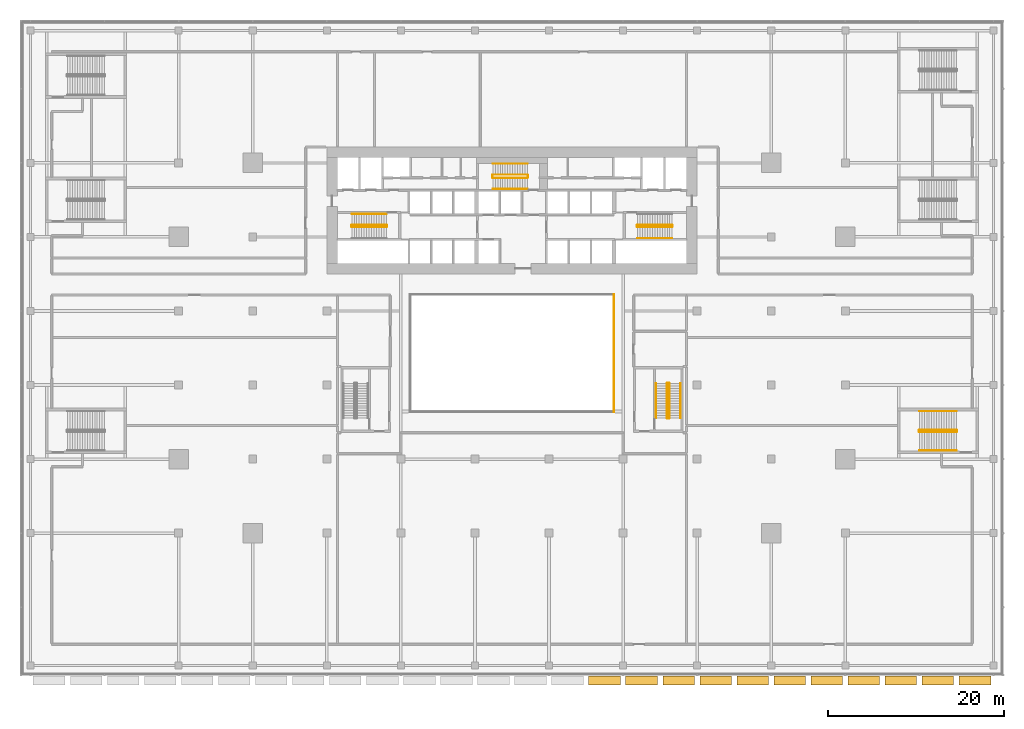
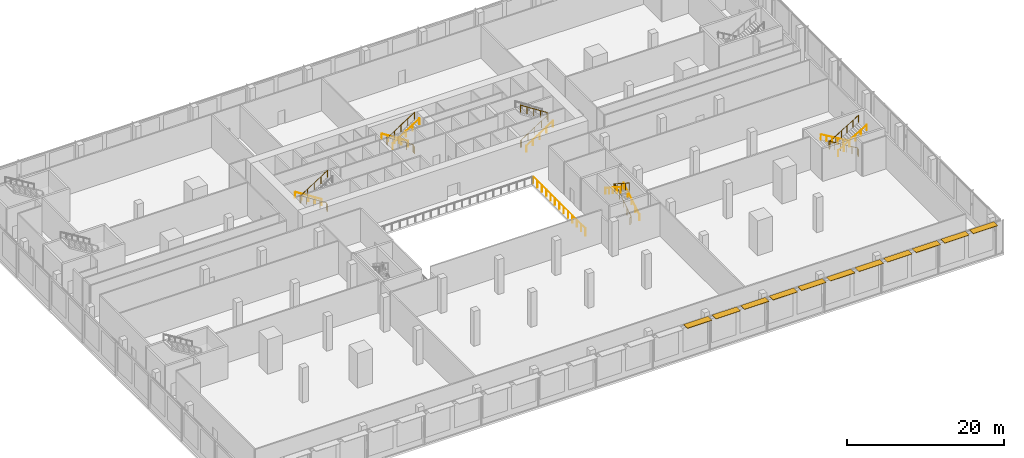
# One storey, part 38 of 39: 14 railings, 11 shading devices.
"""IFC4 building model written with IfcOpenShell, lengths in metres."""

import ifcopenshell
import ifcopenshell.guid

model = None  # the IFC model being written
_history = None  # IfcOwnerHistory: only IFC2X3 demands one
_inside = {}  # id of a spatial element -> (the spatial element, [elements in it])
_under = {}  # id of a project, library or spatial element -> (it, [spatial elements below it])
_declared = {}  # id of a project -> (the project, [libraries it declares])
_typed = {}  # id of a type object -> (the type object, [elements of that type])
_made_of = {}  # id of a material, layer set ... -> (it, [elements and type objects made of it])


def new_model(schema):
    """Start an empty IFC model of exactly this schema.

    Asked for "IFC4X3", IfcOpenShell would pick the latest addendum, in which some entities
    have other attributes; the version numbers below select the first issue.
    IFC2X3 requires an IfcOwnerHistory on every rooted entity: one is made here for all.
    """
    global model, _history
    if schema == "IFC4X3":
        model = ifcopenshell.file(schema_version=(4, 3, 0, 0))
    else:
        model = ifcopenshell.file(schema=schema)
    _inside.clear()
    _under.clear()
    _declared.clear()
    _typed.clear()
    _made_of.clear()
    _history = None
    if model.schema == "IFC2X3":
        org = make("IfcOrganization", Name="unknown")
        user = make(
            "IfcPersonAndOrganization",
            ThePerson=make("IfcPerson", FamilyName="unknown"),
            TheOrganization=org,
        )
        app = make(
            "IfcApplication",
            ApplicationDeveloper=org,
            Version="unknown",
            ApplicationFullName="unknown",
            ApplicationIdentifier="unknown",
        )
        _history = make(
            "IfcOwnerHistory",
            OwningUser=user,
            OwningApplication=app,
            ChangeAction="ADDED",
            CreationDate=0,
        )
    return model


def make(cls, **values):
    """One entity of the class cls with the attributes given. An attribute that is None is left unset."""
    return model.create_entity(
        cls, **{name: value for name, value in values.items() if value is not None}
    )


def rooted(cls, **values):
    """An entity with a GlobalId (a new one), such as an element, a storey or a relation."""
    return make(cls, GlobalId=ifcopenshell.guid.new(), OwnerHistory=_history, **values)


def si_unit(unit_type, name, prefix=None):
    """IfcSIUnit, for example si_unit("LENGTHUNIT", "METRE", prefix="MILLI")."""
    return make("IfcSIUnit", UnitType=unit_type, Prefix=prefix, Name=name)


def assignment(units):
    """IfcUnitAssignment: the units of a project."""
    return None if units is None else make("IfcUnitAssignment", Units=units)


def point(xyz):
    """IfcCartesianPoint."""
    return None if xyz is None else make("IfcCartesianPoint", Coordinates=xyz)


def direction(xyz):
    """IfcDirection."""
    return None if xyz is None else make("IfcDirection", DirectionRatios=xyz)


def frame(location, z_axis=None, x_axis=None):
    """IfcAxis2Placement3D, a coordinate frame: its origin and axes. An axis left out is left unset."""
    return make(
        "IfcAxis2Placement3D",
        Location=point(location),
        Axis=direction(z_axis),
        RefDirection=direction(x_axis),
    )


def frame_2d(location, x_axis=None):
    """IfcAxis2Placement2D, a coordinate frame in the plane: its origin and x axis."""
    return make(
        "IfcAxis2Placement2D", Location=point(location), RefDirection=direction(x_axis)
    )


def origin():
    """The frame at (0, 0, 0) with its axes left unset."""
    return frame((0.0, 0.0, 0.0))


def origin_2d():
    """The frame at (0, 0) in the plane with its x axis left unset."""
    return frame_2d((0.0, 0.0))


def place(relative_to, where):
    """IfcLocalPlacement: puts the frame where relative to a parent placement (None: the world)."""
    return make(
        "IfcLocalPlacement", PlacementRelTo=relative_to, RelativePlacement=where
    )


def context(
    kind, dimensions, precision=None, world=None, true_north=None, identifier=None
):
    """IfcGeometricRepresentationContext, for example the 3D "Model" context."""
    return make(
        "IfcGeometricRepresentationContext",
        ContextIdentifier=identifier,
        ContextType=kind,
        CoordinateSpaceDimension=dimensions,
        Precision=precision,
        WorldCoordinateSystem=world,
        TrueNorth=true_north,
    )


def subcontext(parent, identifier, kind, view, scale=None):
    """IfcGeometricRepresentationSubContext, for example "Body" below "Model"."""
    return make(
        "IfcGeometricRepresentationSubContext",
        ContextIdentifier=identifier,
        ContextType=kind,
        ParentContext=parent,
        TargetScale=scale,
        TargetView=view,
    )


def project(units=None, contexts=None):
    """IfcProject with its units and contexts."""
    return rooted(
        "IfcProject",
        Name="project",
        RepresentationContexts=contexts,
        UnitsInContext=assignment(units),
    )


def spatial(cls, under=None, at=None, **own):
    """A site, building, storey or space (cls), placed at a placement, below another one or the project."""
    s = rooted(cls, ObjectPlacement=at, **own)
    if under is not None:
        _under.setdefault(under.id(), (under, []))[1].append(s)
    return s


def profile(cls, at=None, kind="AREA", **sizes):
    """A parametric profile (cls). Its sizes go by their IFC names, for example OverallWidth=200.0."""
    return make(cls, ProfileType=kind, Position=at, **sizes)


def rectangle(**sizes):
    """IfcRectangleProfileDef."""
    return profile("IfcRectangleProfileDef", **sizes)


def circle(**sizes):
    """IfcCircleProfileDef."""
    return profile("IfcCircleProfileDef", **sizes)


def extrude(swept, where, along, depth):
    """IfcExtrudedAreaSolid: the profile swept, set in the frame where, extruded along a direction by depth."""
    return make(
        "IfcExtrudedAreaSolid",
        SweptArea=swept,
        Position=where,
        ExtrudedDirection=direction(along),
        Depth=depth,
    )


def shape(context_of_items, identifier, shape_type, items):
    """IfcShapeRepresentation: the items that make up one representation, for example the "Body"."""
    return make(
        "IfcShapeRepresentation",
        ContextOfItems=context_of_items,
        RepresentationIdentifier=identifier,
        RepresentationType=shape_type,
        Items=items,
    )


def material(Name=None, Category=None):
    """IfcMaterial."""
    return make("IfcMaterial", Name=Name, Category=Category)


def made_of(thing, what):
    """Note that an element or type object is made of a material, layer set ...; save() writes the relation."""
    if what is not None:
        _made_of.setdefault(what.id(), (what, []))[1].append(thing)
    return thing


def type_object(cls, material=None, **own):
    """A type object (cls), such as IfcWallType, which elements share."""
    return made_of(rooted(cls, **own), material)


def element(
    cls,
    number,
    at=None,
    inside=None,
    cuts=None,
    type_object=None,
    material=None,
    context=None,
    identifier="Body",
    shape_type=None,
    held_by="IfcProductDefinitionShape",
    body=None,
    shapes=None,
    **own,
):
    """One element of the class cls, such as IfcWall. Its Tag is "e" and its number.

    at: its placement. inside: the storey or other place that contains it. cuts: it is an
    opening in that element (IfcRelVoidsElement). A single representation is given by context,
    identifier, shape_type and body (its items); several are given by shapes. held_by: the class
    of the entity that holds the representations. save() writes the other relations.
    """
    e = rooted(cls, Tag="e%d" % number, ObjectPlacement=at, **own)
    if body is not None:
        shapes = [shape(context, identifier, shape_type, body)]
    if shapes is not None:
        e.Representation = make(held_by, Representations=shapes)
    if inside is not None:
        _inside.setdefault(inside.id(), (inside, []))[1].append(e)
    if cuts is not None:
        rooted(
            "IfcRelVoidsElement", RelatingBuildingElement=cuts, RelatedOpeningElement=e
        )
    if type_object is not None:
        _typed.setdefault(type_object.id(), (type_object, []))[1].append(e)
    return made_of(e, material)


def aggregate(whole, parts):
    """IfcRelAggregates: a whole, such as a stair, and the parts it consists of."""
    return rooted("IfcRelAggregates", RelatingObject=whole, RelatedObjects=parts)


def save(model, path):
    """Write the relations noted so far, then the file.

    IfcRelAggregates (storeys below a building ...), IfcRelContainedInSpatialStructure (elements
    in a storey), IfcRelDefinesByType, IfcRelAssociatesMaterial and IfcRelDeclares: one each for
    every whole, place, type object, material and project.
    """
    for whole, parts in _under.values():
        aggregate(whole, parts)
    for where, things in _inside.values():
        rooted(
            "IfcRelContainedInSpatialStructure",
            RelatedElements=things,
            RelatingStructure=where,
        )
    for kind, things in _typed.values():
        rooted("IfcRelDefinesByType", RelatedObjects=things, RelatingType=kind)
    for what, things in _made_of.values():
        rooted("IfcRelAssociatesMaterial", RelatedObjects=things, RelatingMaterial=what)
    for by, libraries in _declared.values():
        rooted("IfcRelDeclares", RelatingContext=by, RelatedDefinitions=libraries)
    model.write(path)


model = new_model("IFC4")

# Units and contexts
model_context = context("Model", 3, precision=1e-05, world=origin(), true_north=direction((0.0, 1.0)))
body_context = subcontext(model_context, "Body", "Model", "MODEL_VIEW")
ifc_project = project(units=[si_unit("LENGTHUNIT", "METRE"), si_unit("AREAUNIT", "SQUARE_METRE"), si_unit("VOLUMEUNIT", "CUBIC_METRE"), si_unit("PLANEANGLEUNIT", "RADIAN"), si_unit("MASSUNIT", "GRAM", prefix="KILO")], contexts=[model_context])

# Site, building, storey
site_placement = place(None, origin())
site = spatial("IfcSite", under=ifc_project, at=site_placement, CompositionType="ELEMENT")
building_placement = place(site_placement, origin())
building = spatial("IfcBuilding", under=site, at=building_placement, Name="Saffron Gate Tower", CompositionType="ELEMENT")
storey_placement = place(building_placement, frame((0.0, 0.0, 9.0)))
storey = spatial("IfcBuildingStorey", under=building, at=storey_placement, Name="L01", CompositionType="ELEMENT", Elevation=9.0)

# Railings
ifc_material_1 = material(Name="Stainless steel and laminated glass", Category="steel")
railing_type_1 = type_object("IfcRailingType", Name="AG1 Atrium edge guard 1100", PredefinedType="GUARDRAIL", material=ifc_material_1)
railing_1_placement = place(storey_placement, frame((99.179931640625, 58.860107421875, 0.0)))
element("IfcRailing", 1, at=railing_1_placement, inside=storey, type_object=railing_type_1, Name="Guard P1-3", PredefinedType="GUARDRAIL", context=body_context, shape_type="SweptSolid", body=[
    extrude(circle(Radius=0.02392578125, at=origin_2d()), frame((0.0, 0.0, 1.076171875), z_axis=(0.0, -1.0, 0.0), x_axis=(1.0, 0.0, 0.0)), (0.0, 0.0, 1.0), 13.320068359375),
    extrude(circle(Radius=0.02099609375, at=origin_2d()), origin(), (0.0, 0.0, 1.0), 1.052001953125),
    extrude(circle(Radius=0.02099609375, at=origin_2d()), frame((0.0, -1.110107421875, 0.0)), (0.0, 0.0, 1.0), 1.052001953125),
    extrude(circle(Radius=0.02099609375, at=origin_2d()), frame((0.0, -2.219970703125, 0.0)), (0.0, 0.0, 1.0), 1.052001953125),
    extrude(circle(Radius=0.02099609375, at=origin_2d()), frame((0.0, -3.330078125, 0.0)), (0.0, 0.0, 1.0), 1.052001953125),
    extrude(circle(Radius=0.02099609375, at=origin_2d()), frame((0.0, -4.43994140625, 0.0)), (0.0, 0.0, 1.0), 1.052001953125),
    extrude(circle(Radius=0.02099609375, at=origin_2d()), frame((0.0, -5.550048828125, 0.0)), (0.0, 0.0, 1.0), 1.052001953125),
    extrude(circle(Radius=0.02099609375, at=origin_2d()), frame((0.0, -6.66015625, 0.0)), (0.0, 0.0, 1.0), 1.052001953125),
    extrude(circle(Radius=0.02099609375, at=origin_2d()), frame((0.0, -7.77001953125, 0.0)), (0.0, 0.0, 1.0), 1.052001953125),
    extrude(circle(Radius=0.02099609375, at=origin_2d()), frame((0.0, -8.880126953125, 0.0)), (0.0, 0.0, 1.0), 1.052001953125),
    extrude(circle(Radius=0.02099609375, at=origin_2d()), frame((0.0, -9.989990234375, 0.0)), (0.0, 0.0, 1.0), 1.052001953125),
    extrude(circle(Radius=0.02099609375, at=origin_2d()), frame((0.0, -11.10009765625, 0.0)), (0.0, 0.0, 1.0), 1.052001953125),
    extrude(circle(Radius=0.02099609375, at=origin_2d()), frame((0.0, -12.2099609375, 0.0)), (0.0, 0.0, 1.0), 1.052001953125),
    extrude(circle(Radius=0.02099609375, at=origin_2d()), frame((0.0, -13.320068359375, 0.0)), (0.0, 0.0, 1.0), 1.052001953125),
])
railing_type_2 = type_object("IfcRailingType", Name="CR1 Stair guard 1100", PredefinedType="GUARDRAIL", material=ifc_material_1)
railing_2_placement = place(storey_placement, frame((73.39990234375, 66.550048828125, 0.0)))
element("IfcRailing", 2, at=railing_2_placement, inside=storey, type_object=railing_type_2, Name="L01 ST-A stair guard 1", PredefinedType="GUARDRAIL", context=body_context, shape_type="SweptSolid", body=[
    extrude(circle(Radius=0.02392578125, at=origin_2d()), frame((0.0, 0.0, 1.076171875), z_axis=(0.0, 1.0, 0.0), x_axis=(-1.0, 0.0, 0.0)), (0.0, 0.0, 1.0), 0.14990234375),
    extrude(circle(Radius=0.02392578125, at=origin_2d()), frame((0.0, 0.14990234375, 1.076171875), z_axis=(-0.257669022063, 0.258932105505, 0.930892496375), x_axis=(-0.708833529934, -0.705375805398, 0.0)), (0.0, 0.0, 1.0), 0.193359375),
    extrude(circle(Radius=0.02392578125, at=origin_2d()), frame((-0.0498046875, 0.199951171875, 1.255859375), z_axis=(-0.841186985886, 0.0, 0.540744352514), x_axis=(0.0, -1.0, 0.0)), (0.0, 0.0, 1.0), 4.660400390625),
    extrude(circle(Radius=0.02392578125, at=origin_2d()), frame((-3.969970703125, 0.199951171875, 3.77587890625), z_axis=(-0.707106781187, -0.707106781187, 0.0), x_axis=(0.707106781187, -0.707106781187, 0.0)), (0.0, 0.0, 1.0), 0.07080078125),
    extrude(circle(Radius=0.02392578125, at=origin_2d()), frame((-4.02001953125, 0.14990234375, 3.77587890625), z_axis=(0.0, -1.0, 0.0), x_axis=(1.0, 0.0, 0.0)), (0.0, 0.0, 1.0), 0.14990234375),
    extrude(circle(Radius=0.02392578125, at=origin_2d()), frame((-4.02001953125, 0.0, 3.77587890625), z_axis=(0.258847668887, -0.258847668887, 0.930588936439), x_axis=(0.707106781187, 0.707106781187, 0.0)), (0.0, 0.0, 1.0), 0.193359375),
    extrude(circle(Radius=0.02392578125, at=origin_2d()), frame((-3.969970703125, -0.050048828125, 3.9560546875), z_axis=(0.841186985886, 0.0, 0.540744352514), x_axis=(0.0, 1.0, 0.0)), (0.0, 0.0, 1.0), 4.660400390625),
    extrude(circle(Radius=0.02099609375, at=origin_2d()), origin(), (0.0, 0.0, 1.0), 1.052001953125),
    extrude(circle(Radius=0.02099609375, at=origin_2d()), frame((0.0, 0.14990234375, 0.0)), (0.0, 0.0, 1.0), 1.052001953125),
    extrude(circle(Radius=0.02099609375, at=origin_2d()), frame((-0.0498046875, 0.199951171875, 0.179931640625)), (0.0, 0.0, 1.0), 1.052001953125),
    extrude(circle(Radius=0.02099609375, at=origin_2d()), frame((-1.02978515625, 0.199951171875, 0.81005859375)), (0.0, 0.0, 1.0), 1.052001953125),
    extrude(circle(Radius=0.02099609375, at=origin_2d()), frame((-2.009765625, 0.199951171875, 1.43994140625)), (0.0, 0.0, 1.0), 1.052001953125),
    extrude(circle(Radius=0.02099609375, at=origin_2d()), frame((-2.989990234375, 0.199951171875, 2.06982421875)), (0.0, 0.0, 1.0), 1.052001953125),
    extrude(circle(Radius=0.02099609375, at=origin_2d()), frame((-3.969970703125, 0.199951171875, 2.699951171875)), (0.0, 0.0, 1.0), 1.052001953125),
    extrude(circle(Radius=0.02099609375, at=origin_2d()), frame((-4.02001953125, 0.14990234375, 2.699951171875)), (0.0, 0.0, 1.0), 1.052001953125),
    extrude(circle(Radius=0.02099609375, at=origin_2d()), frame((-4.02001953125, 0.0, 2.699951171875)), (0.0, 0.0, 1.0), 1.052001953125),
    extrude(circle(Radius=0.02099609375, at=origin_2d()), frame((-3.969970703125, -0.050048828125, 2.8798828125)), (0.0, 0.0, 1.0), 1.052001953125),
    extrude(circle(Radius=0.02099609375, at=origin_2d()), frame((-2.989990234375, -0.050048828125, 3.509765625)), (0.0, 0.0, 1.0), 1.052001953125),
    extrude(circle(Radius=0.02099609375, at=origin_2d()), frame((-2.009765625, -0.050048828125, 4.139892578125)), (0.0, 0.0, 1.0), 1.052001953125),
    extrude(circle(Radius=0.02099609375, at=origin_2d()), frame((-1.02978515625, -0.050048828125, 4.77001953125)), (0.0, 0.0, 1.0), 1.052001953125),
    extrude(circle(Radius=0.02099609375, at=origin_2d()), frame((-0.0498046875, -0.050048828125, 5.39990234375)), (0.0, 0.0, 1.0), 1.052001953125),
])
railing_3_placement = place(storey_placement, frame((101.800048828125, 66.699951171875, 0.0)))
element("IfcRailing", 3, at=railing_3_placement, inside=storey, type_object=railing_type_2, Name="L01 ST-B stair guard 1", PredefinedType="GUARDRAIL", context=body_context, shape_type="SweptSolid", body=[
    extrude(circle(Radius=0.02392578125, at=origin_2d()), frame((0.0, 0.0, 1.076171875), z_axis=(0.0, -1.0, 0.0), x_axis=(1.0, 0.0, 0.0)), (0.0, 0.0, 1.0), 0.14990234375),
    extrude(circle(Radius=0.02392578125, at=origin_2d()), frame((0.0, -0.14990234375, 1.076171875), z_axis=(0.258847668887, -0.258847668887, 0.930588936439), x_axis=(0.707106781187, 0.707106781187, 0.0)), (0.0, 0.0, 1.0), 0.193359375),
    extrude(circle(Radius=0.02392578125, at=origin_2d()), frame((0.050048828125, -0.199951171875, 1.255859375), z_axis=(0.841171666519, 0.0, 0.540768182723), x_axis=(0.0, 1.0, 0.0)), (0.0, 0.0, 1.0), 4.66015625),
    extrude(circle(Radius=0.02392578125, at=origin_2d()), frame((3.969970703125, -0.199951171875, 3.77587890625), z_axis=(0.707106781187, 0.707106781187, 0.0), x_axis=(-0.707106781187, 0.707106781187, 0.0)), (0.0, 0.0, 1.0), 0.07080078125),
    extrude(circle(Radius=0.02392578125, at=origin_2d()), frame((4.02001953125, -0.14990234375, 3.77587890625), z_axis=(0.0, 1.0, 0.0), x_axis=(-1.0, 0.0, 0.0)), (0.0, 0.0, 1.0), 0.14990234375),
    extrude(circle(Radius=0.02392578125, at=origin_2d()), frame((4.02001953125, 0.0, 3.77587890625), z_axis=(-0.258847668887, 0.258847668887, 0.930588936439), x_axis=(-0.707106781187, -0.707106781187, 0.0)), (0.0, 0.0, 1.0), 0.193359375),
    extrude(circle(Radius=0.02392578125, at=origin_2d()), frame((3.969970703125, 0.050048828125, 3.9560546875), z_axis=(-0.841171666519, 0.0, 0.540768182723), x_axis=(0.0, -1.0, 0.0)), (0.0, 0.0, 1.0), 4.66015625),
    extrude(circle(Radius=0.02099609375, at=origin_2d()), origin(), (0.0, 0.0, 1.0), 1.052001953125),
    extrude(circle(Radius=0.02099609375, at=origin_2d()), frame((0.0, -0.14990234375, 0.0)), (0.0, 0.0, 1.0), 1.052001953125),
    extrude(circle(Radius=0.02099609375, at=origin_2d()), frame((0.050048828125, -0.199951171875, 0.179931640625)), (0.0, 0.0, 1.0), 1.052001953125),
    extrude(circle(Radius=0.02099609375, at=origin_2d()), frame((1.030029296875, -0.199951171875, 0.81005859375)), (0.0, 0.0, 1.0), 1.052001953125),
    extrude(circle(Radius=0.02099609375, at=origin_2d()), frame((2.010009765625, -0.199951171875, 1.43994140625)), (0.0, 0.0, 1.0), 1.052001953125),
    extrude(circle(Radius=0.02099609375, at=origin_2d()), frame((2.989990234375, -0.199951171875, 2.06982421875)), (0.0, 0.0, 1.0), 1.052001953125),
    extrude(circle(Radius=0.02099609375, at=origin_2d()), frame((3.969970703125, -0.199951171875, 2.699951171875)), (0.0, 0.0, 1.0), 1.052001953125),
    extrude(circle(Radius=0.02099609375, at=origin_2d()), frame((4.02001953125, -0.14990234375, 2.699951171875)), (0.0, 0.0, 1.0), 1.052001953125),
    extrude(circle(Radius=0.02099609375, at=origin_2d()), frame((4.02001953125, 0.0, 2.699951171875)), (0.0, 0.0, 1.0), 1.052001953125),
    extrude(circle(Radius=0.02099609375, at=origin_2d()), frame((3.969970703125, 0.050048828125, 2.8798828125)), (0.0, 0.0, 1.0), 1.052001953125),
    extrude(circle(Radius=0.02099609375, at=origin_2d()), frame((2.989990234375, 0.050048828125, 3.509765625)), (0.0, 0.0, 1.0), 1.052001953125),
    extrude(circle(Radius=0.02099609375, at=origin_2d()), frame((2.010009765625, 0.050048828125, 4.139892578125)), (0.0, 0.0, 1.0), 1.052001953125),
    extrude(circle(Radius=0.02099609375, at=origin_2d()), frame((1.030029296875, 0.050048828125, 4.77001953125)), (0.0, 0.0, 1.0), 1.052001953125),
    extrude(circle(Radius=0.02099609375, at=origin_2d()), frame((0.050048828125, 0.050048828125, 5.39990234375)), (0.0, 0.0, 1.0), 1.052001953125),
])
railing_4_placement = place(storey_placement, frame((89.39990234375, 72.14990234375, 0.0)))
element("IfcRailing", 4, at=railing_4_placement, inside=storey, type_object=railing_type_2, Name="L01 ST-C stair guard 1", PredefinedType="GUARDRAIL", context=body_context, shape_type="SweptSolid", body=[
    extrude(circle(Radius=0.02392578125, at=origin_2d()), frame((0.0, 0.0, 1.076171875), z_axis=(0.0, 1.0, 0.0), x_axis=(-1.0, 0.0, 0.0)), (0.0, 0.0, 1.0), 0.25),
    extrude(circle(Radius=0.02392578125, at=origin_2d()), frame((0.0, 0.25, 1.076171875), z_axis=(-0.257669022063, 0.258932105505, 0.930892496375), x_axis=(-0.708833529934, -0.705375805398, 0.0)), (0.0, 0.0, 1.0), 0.193359375),
    extrude(circle(Radius=0.02392578125, at=origin_2d()), frame((-0.0498046875, 0.300048828125, 1.255859375), z_axis=(-0.841186985886, 0.0, 0.540744352514), x_axis=(0.0, -1.0, 0.0)), (0.0, 0.0, 1.0), 4.660400390625),
    extrude(circle(Radius=0.02392578125, at=origin_2d()), frame((-3.969970703125, 0.300048828125, 3.77587890625), z_axis=(-0.707106781187, -0.707106781187, 0.0), x_axis=(0.707106781187, -0.707106781187, 0.0)), (0.0, 0.0, 1.0), 0.07080078125),
    extrude(circle(Radius=0.02392578125, at=origin_2d()), frame((-4.02001953125, 0.25, 3.77587890625), z_axis=(0.0, -1.0, 0.0), x_axis=(1.0, 0.0, 0.0)), (0.0, 0.0, 1.0), 0.25),
    extrude(circle(Radius=0.02392578125, at=origin_2d()), frame((-4.02001953125, 0.0, 3.77587890625), z_axis=(0.258932105505, -0.257669022063, 0.930892496375), x_axis=(0.705375805398, 0.708833529934, 0.0)), (0.0, 0.0, 1.0), 0.193359375),
    extrude(circle(Radius=0.02392578125, at=origin_2d()), frame((-3.969970703125, -0.0498046875, 3.9560546875), z_axis=(0.841186985886, 0.0, 0.540744352514), x_axis=(0.0, 1.0, 0.0)), (0.0, 0.0, 1.0), 4.660400390625),
    extrude(circle(Radius=0.02099609375, at=origin_2d()), origin(), (0.0, 0.0, 1.0), 1.052001953125),
    extrude(circle(Radius=0.02099609375, at=origin_2d()), frame((0.0, 0.25, 0.0)), (0.0, 0.0, 1.0), 1.052001953125),
    extrude(circle(Radius=0.02099609375, at=origin_2d()), frame((-0.0498046875, 0.300048828125, 0.179931640625)), (0.0, 0.0, 1.0), 1.052001953125),
    extrude(circle(Radius=0.02099609375, at=origin_2d()), frame((-1.02978515625, 0.300048828125, 0.81005859375)), (0.0, 0.0, 1.0), 1.052001953125),
    extrude(circle(Radius=0.02099609375, at=origin_2d()), frame((-2.009765625, 0.300048828125, 1.43994140625)), (0.0, 0.0, 1.0), 1.052001953125),
    extrude(circle(Radius=0.02099609375, at=origin_2d()), frame((-2.989990234375, 0.300048828125, 2.06982421875)), (0.0, 0.0, 1.0), 1.052001953125),
    extrude(circle(Radius=0.02099609375, at=origin_2d()), frame((-3.969970703125, 0.300048828125, 2.699951171875)), (0.0, 0.0, 1.0), 1.052001953125),
    extrude(circle(Radius=0.02099609375, at=origin_2d()), frame((-4.02001953125, 0.25, 2.699951171875)), (0.0, 0.0, 1.0), 1.052001953125),
    extrude(circle(Radius=0.02099609375, at=origin_2d()), frame((-4.02001953125, 0.0, 2.699951171875)), (0.0, 0.0, 1.0), 1.052001953125),
    extrude(circle(Radius=0.02099609375, at=origin_2d()), frame((-3.969970703125, -0.0498046875, 2.8798828125)), (0.0, 0.0, 1.0), 1.052001953125),
    extrude(circle(Radius=0.02099609375, at=origin_2d()), frame((-2.989990234375, -0.0498046875, 3.509765625)), (0.0, 0.0, 1.0), 1.052001953125),
    extrude(circle(Radius=0.02099609375, at=origin_2d()), frame((-2.009765625, -0.0498046875, 4.139892578125)), (0.0, 0.0, 1.0), 1.052001953125),
    extrude(circle(Radius=0.02099609375, at=origin_2d()), frame((-1.02978515625, -0.0498046875, 4.77001953125)), (0.0, 0.0, 1.0), 1.052001953125),
    extrude(circle(Radius=0.02099609375, at=origin_2d()), frame((-0.0498046875, -0.0498046875, 5.39990234375)), (0.0, 0.0, 1.0), 1.052001953125),
])
railing_5_placement = place(storey_placement, frame((105.25, 44.800048828125, 0.0)))
element("IfcRailing", 5, at=railing_5_placement, inside=storey, type_object=railing_type_2, Name="L01 ST-E stair guard 1", PredefinedType="GUARDRAIL", context=body_context, shape_type="SweptSolid", body=[
    extrude(circle(Radius=0.02392578125, at=origin_2d()), frame((0.0, 0.0, 1.076171875), z_axis=(1.0, 0.0, 0.0), x_axis=(0.0, 1.0, 0.0)), (0.0, 0.0, 1.0), 0.14990234375),
    extrude(circle(Radius=0.02392578125, at=origin_2d()), frame((0.14990234375, 0.0, 1.076171875), z_axis=(0.258847668887, 0.258847668887, 0.930588936439), x_axis=(-0.707106781187, 0.707106781187, 0.0)), (0.0, 0.0, 1.0), 0.193359375),
    extrude(circle(Radius=0.02392578125, at=origin_2d()), frame((0.199951171875, 0.050048828125, 1.255859375), z_axis=(0.0, 0.841171666519, 0.540768182723), x_axis=(-1.0, 0.0, 0.0)), (0.0, 0.0, 1.0), 4.66015625),
    extrude(circle(Radius=0.02392578125, at=origin_2d()), frame((0.199951171875, 3.969970703125, 3.77587890625), z_axis=(-0.707106781187, 0.707106781187, 0.0), x_axis=(-0.707106781187, -0.707106781187, 0.0)), (0.0, 0.0, 1.0), 0.07080078125),
    extrude(circle(Radius=0.02392578125, at=origin_2d()), frame((0.14990234375, 4.02001953125, 3.77587890625), z_axis=(-1.0, 0.0, 0.0), x_axis=(0.0, -1.0, 0.0)), (0.0, 0.0, 1.0), 0.14990234375),
    extrude(circle(Radius=0.02392578125, at=origin_2d()), frame((0.0, 4.02001953125, 3.77587890625), z_axis=(-0.258847668887, -0.258847668887, 0.930588936439), x_axis=(0.707106781187, -0.707106781187, 0.0)), (0.0, 0.0, 1.0), 0.193359375),
    extrude(circle(Radius=0.02392578125, at=origin_2d()), frame((-0.050048828125, 3.969970703125, 3.9560546875), z_axis=(0.0, -0.841171666519, 0.540768182723), x_axis=(1.0, 0.0, 0.0)), (0.0, 0.0, 1.0), 4.66015625),
    extrude(circle(Radius=0.02099609375, at=origin_2d()), origin(), (0.0, 0.0, 1.0), 1.052001953125),
    extrude(circle(Radius=0.02099609375, at=origin_2d()), frame((0.14990234375, 0.0, 0.0)), (0.0, 0.0, 1.0), 1.052001953125),
    extrude(circle(Radius=0.02099609375, at=origin_2d()), frame((0.199951171875, 0.050048828125, 0.179931640625)), (0.0, 0.0, 1.0), 1.052001953125),
    extrude(circle(Radius=0.02099609375, at=origin_2d()), frame((0.199951171875, 1.030029296875, 0.81005859375)), (0.0, 0.0, 1.0), 1.052001953125),
    extrude(circle(Radius=0.02099609375, at=origin_2d()), frame((0.199951171875, 2.010009765625, 1.43994140625)), (0.0, 0.0, 1.0), 1.052001953125),
    extrude(circle(Radius=0.02099609375, at=origin_2d()), frame((0.199951171875, 2.989990234375, 2.06982421875)), (0.0, 0.0, 1.0), 1.052001953125),
    extrude(circle(Radius=0.02099609375, at=origin_2d()), frame((0.199951171875, 3.969970703125, 2.699951171875)), (0.0, 0.0, 1.0), 1.052001953125),
    extrude(circle(Radius=0.02099609375, at=origin_2d()), frame((0.14990234375, 4.02001953125, 2.699951171875)), (0.0, 0.0, 1.0), 1.052001953125),
    extrude(circle(Radius=0.02099609375, at=origin_2d()), frame((0.0, 4.02001953125, 2.699951171875)), (0.0, 0.0, 1.0), 1.052001953125),
    extrude(circle(Radius=0.02099609375, at=origin_2d()), frame((-0.050048828125, 3.969970703125, 2.8798828125)), (0.0, 0.0, 1.0), 1.052001953125),
    extrude(circle(Radius=0.02099609375, at=origin_2d()), frame((-0.050048828125, 2.989990234375, 3.509765625)), (0.0, 0.0, 1.0), 1.052001953125),
    extrude(circle(Radius=0.02099609375, at=origin_2d()), frame((-0.050048828125, 2.010009765625, 4.139892578125)), (0.0, 0.0, 1.0), 1.052001953125),
    extrude(circle(Radius=0.02099609375, at=origin_2d()), frame((-0.050048828125, 1.030029296875, 4.77001953125)), (0.0, 0.0, 1.0), 1.052001953125),
    extrude(circle(Radius=0.02099609375, at=origin_2d()), frame((-0.050048828125, 0.050048828125, 5.39990234375)), (0.0, 0.0, 1.0), 1.052001953125),
])
railing_6_placement = place(storey_placement, frame((138.050048828125, 43.324951171875, 0.0)))
element("IfcRailing", 6, at=railing_6_placement, inside=storey, type_object=railing_type_2, Name="L01 ST-K stair guard 1", PredefinedType="GUARDRAIL", context=body_context, shape_type="SweptSolid", body=[
    extrude(circle(Radius=0.02392578125, at=origin_2d()), frame((0.0, 0.0, 1.076171875), z_axis=(0.0, 1.0, 0.0), x_axis=(-1.0, 0.0, 0.0)), (0.0, 0.0, 1.0), 0.150146484375),
    extrude(circle(Radius=0.02392578125, at=origin_2d()), frame((0.0, 0.150146484375, 1.076171875), z_axis=(-0.273668752699, 0.272333783174, 0.922463942026), x_axis=(-0.705375805398, -0.708833529934, 0.0)), (0.0, 0.0, 1.0), 0.182861328125),
    extrude(circle(Radius=0.02392578125, at=origin_2d()), frame((-0.050048828125, 0.199951171875, 1.24462890625), z_axis=(-0.856476492594, 0.0, 0.516186030065), x_axis=(0.0, -1.0, 0.0)), (0.0, 0.0, 1.0), 4.90380859375),
    extrude(circle(Radius=0.02392578125, at=origin_2d()), frame((-4.25, 0.199951171875, 3.77587890625), z_axis=(-0.708833529934, -0.705375805398, 0.0), x_axis=(0.705375805398, -0.708833529934, 0.0)), (0.0, 0.0, 1.0), 0.070556640625),
    extrude(circle(Radius=0.02392578125, at=origin_2d()), frame((-4.300048828125, 0.150146484375, 3.77587890625), z_axis=(0.0, -1.0, 0.0), x_axis=(1.0, 0.0, 0.0)), (0.0, 0.0, 1.0), 0.150146484375),
    extrude(circle(Radius=0.02392578125, at=origin_2d()), frame((-4.300048828125, 0.0, 3.77587890625), z_axis=(0.273569069059, -0.273569069059, 0.922127935218), x_axis=(0.707106781187, 0.707106781187, 0.0)), (0.0, 0.0, 1.0), 0.182861328125),
    extrude(circle(Radius=0.02392578125, at=origin_2d()), frame((-4.25, -0.050048828125, 3.94482421875), z_axis=(0.856476492594, 0.0, 0.516186030065), x_axis=(0.0, 1.0, 0.0)), (0.0, 0.0, 1.0), 4.90380859375),
    extrude(circle(Radius=0.02099609375, at=origin_2d()), origin(), (0.0, 0.0, 1.0), 1.052001953125),
    extrude(circle(Radius=0.02099609375, at=origin_2d()), frame((0.0, 0.150146484375, 0.0)), (0.0, 0.0, 1.0), 1.052001953125),
    extrude(circle(Radius=0.02099609375, at=origin_2d()), frame((-0.050048828125, 0.199951171875, 0.168701171875)), (0.0, 0.0, 1.0), 1.052001953125),
    extrude(circle(Radius=0.02099609375, at=origin_2d()), frame((-0.89013671875, 0.199951171875, 0.675048828125)), (0.0, 0.0, 1.0), 1.052001953125),
    extrude(circle(Radius=0.02099609375, at=origin_2d()), frame((-1.72998046875, 0.199951171875, 1.18115234375)), (0.0, 0.0, 1.0), 1.052001953125),
    extrude(circle(Radius=0.02099609375, at=origin_2d()), frame((-2.570068359375, 0.199951171875, 1.6875)), (0.0, 0.0, 1.0), 1.052001953125),
    extrude(circle(Radius=0.02099609375, at=origin_2d()), frame((-3.409912109375, 0.199951171875, 2.193603515625)), (0.0, 0.0, 1.0), 1.052001953125),
    extrude(circle(Radius=0.02099609375, at=origin_2d()), frame((-4.25, 0.199951171875, 2.699951171875)), (0.0, 0.0, 1.0), 1.052001953125),
    extrude(circle(Radius=0.02099609375, at=origin_2d()), frame((-4.300048828125, 0.150146484375, 2.699951171875)), (0.0, 0.0, 1.0), 1.052001953125),
    extrude(circle(Radius=0.02099609375, at=origin_2d()), frame((-4.300048828125, 0.0, 2.699951171875)), (0.0, 0.0, 1.0), 1.052001953125),
    extrude(circle(Radius=0.02099609375, at=origin_2d()), frame((-4.25, -0.050048828125, 2.86865234375)), (0.0, 0.0, 1.0), 1.052001953125),
    extrude(circle(Radius=0.02099609375, at=origin_2d()), frame((-3.409912109375, -0.050048828125, 3.375)), (0.0, 0.0, 1.0), 1.052001953125),
    extrude(circle(Radius=0.02099609375, at=origin_2d()), frame((-2.570068359375, -0.050048828125, 3.881103515625)), (0.0, 0.0, 1.0), 1.052001953125),
    extrude(circle(Radius=0.02099609375, at=origin_2d()), frame((-1.72998046875, -0.050048828125, 4.387451171875)), (0.0, 0.0, 1.0), 1.052001953125),
    extrude(circle(Radius=0.02099609375, at=origin_2d()), frame((-0.89013671875, -0.050048828125, 4.8935546875)), (0.0, 0.0, 1.0), 1.052001953125),
    extrude(circle(Radius=0.02099609375, at=origin_2d()), frame((-0.050048828125, -0.050048828125, 5.39990234375)), (0.0, 0.0, 1.0), 1.052001953125),
])
ifc_material_2 = material(Name="Stainless steel", Category="steel")
railing_type_3 = type_object("IfcRailingType", Name="CR2 Stair handrail 900", PredefinedType="HANDRAIL", material=ifc_material_2)
railing_7_placement = place(storey_placement, frame((73.35009765625, 68.0, 0.179931640625)))
element("IfcRailing", 7, at=railing_7_placement, inside=storey, type_object=railing_type_3, Name="L01 ST-A stair handrail 1", PredefinedType="HANDRAIL", context=body_context, shape_type="SweptSolid", body=[
    extrude(circle(Radius=0.02392578125, at=origin_2d()), frame((0.0, 0.0, 0.8759765625), z_axis=(-0.841186985886, 0.0, 0.540744352514), x_axis=(0.0, -1.0, 0.0)), (0.0, 0.0, 1.0), 4.660400390625),
    extrude(circle(Radius=0.02099609375, at=origin_2d()), origin(), (0.0, 0.0, 1.0), 0.851806640625),
    extrude(circle(Radius=0.02099609375, at=origin_2d()), frame((-0.97998046875, 0.0, 0.6298828125)), (0.0, 0.0, 1.0), 0.851806640625),
    extrude(circle(Radius=0.02099609375, at=origin_2d()), frame((-1.9599609375, 0.0, 1.260009765625)), (0.0, 0.0, 1.0), 0.851806640625),
    extrude(circle(Radius=0.02099609375, at=origin_2d()), frame((-2.940185546875, 0.0, 1.89013671875)), (0.0, 0.0, 1.0), 0.851806640625),
    extrude(circle(Radius=0.02099609375, at=origin_2d()), frame((-3.920166015625, 0.0, 2.52001953125)), (0.0, 0.0, 1.0), 0.851806640625),
])
railing_8_placement = place(storey_placement, frame((101.85009765625, 65.25, 0.179931640625)))
element("IfcRailing", 8, at=railing_8_placement, inside=storey, type_object=railing_type_3, Name="L01 ST-B stair handrail 1", PredefinedType="HANDRAIL", context=body_context, shape_type="SweptSolid", body=[
    extrude(circle(Radius=0.02392578125, at=origin_2d()), frame((0.0, 0.0, 0.8759765625), z_axis=(0.841171666519, 0.0, 0.540768182723), x_axis=(0.0, 1.0, 0.0)), (0.0, 0.0, 1.0), 4.66015625),
    extrude(circle(Radius=0.02099609375, at=origin_2d()), origin(), (0.0, 0.0, 1.0), 0.851806640625),
    extrude(circle(Radius=0.02099609375, at=origin_2d()), frame((0.97998046875, 0.0, 0.6298828125)), (0.0, 0.0, 1.0), 0.851806640625),
    extrude(circle(Radius=0.02099609375, at=origin_2d()), frame((1.9599609375, 0.0, 1.260009765625)), (0.0, 0.0, 1.0), 0.851806640625),
    extrude(circle(Radius=0.02099609375, at=origin_2d()), frame((2.93994140625, 0.0, 1.89013671875)), (0.0, 0.0, 1.0), 0.851806640625),
    extrude(circle(Radius=0.02099609375, at=origin_2d()), frame((3.919921875, 0.0, 2.52001953125)), (0.0, 0.0, 1.0), 0.851806640625),
])
railing_9_placement = place(storey_placement, frame((89.35009765625, 73.699951171875, 0.179931640625)))
element("IfcRailing", 9, at=railing_9_placement, inside=storey, type_object=railing_type_3, Name="L01 ST-C stair handrail 1", PredefinedType="HANDRAIL", context=body_context, shape_type="SweptSolid", body=[
    extrude(circle(Radius=0.02392578125, at=origin_2d()), frame((0.0, 0.0, 0.8759765625), z_axis=(-0.841186985886, 0.0, 0.540744352514), x_axis=(0.0, -1.0, 0.0)), (0.0, 0.0, 1.0), 4.660400390625),
    extrude(circle(Radius=0.02099609375, at=origin_2d()), origin(), (0.0, 0.0, 1.0), 0.851806640625),
    extrude(circle(Radius=0.02099609375, at=origin_2d()), frame((-0.97998046875, 0.0, 0.6298828125)), (0.0, 0.0, 1.0), 0.851806640625),
    extrude(circle(Radius=0.02099609375, at=origin_2d()), frame((-1.9599609375, 0.0, 1.260009765625)), (0.0, 0.0, 1.0), 0.851806640625),
    extrude(circle(Radius=0.02099609375, at=origin_2d()), frame((-2.940185546875, 0.0, 1.89013671875)), (0.0, 0.0, 1.0), 0.851806640625),
    extrude(circle(Radius=0.02099609375, at=origin_2d()), frame((-3.920166015625, 0.0, 2.52001953125)), (0.0, 0.0, 1.0), 0.851806640625),
])
railing_10_placement = place(storey_placement, frame((85.429931640625, 70.85009765625, 2.8798828125)))
element("IfcRailing", 10, at=railing_10_placement, inside=storey, type_object=railing_type_3, Name="L01 ST-C stair handrail 2", PredefinedType="HANDRAIL", context=body_context, shape_type="SweptSolid", body=[
    extrude(circle(Radius=0.02392578125, at=origin_2d()), frame((0.0, 0.0, 0.8759765625), z_axis=(0.841186985886, 0.0, 0.540744352514), x_axis=(0.0, 1.0, 0.0)), (0.0, 0.0, 1.0), 4.660400390625),
    extrude(circle(Radius=0.02099609375, at=origin_2d()), origin(), (0.0, 0.0, 1.0), 0.851806640625),
    extrude(circle(Radius=0.02099609375, at=origin_2d()), frame((0.97998046875, 0.0, 0.6298828125)), (0.0, 0.0, 1.0), 0.851806640625),
    extrude(circle(Radius=0.02099609375, at=origin_2d()), frame((1.9599609375, 0.0, 1.260009765625)), (0.0, 0.0, 1.0), 0.851806640625),
    extrude(circle(Radius=0.02099609375, at=origin_2d()), frame((2.940185546875, 0.0, 1.89013671875)), (0.0, 0.0, 1.0), 0.851806640625),
    extrude(circle(Radius=0.02099609375, at=origin_2d()), frame((3.920166015625, 0.0, 2.52001953125)), (0.0, 0.0, 1.0), 0.851806640625),
])
railing_11_placement = place(storey_placement, frame((106.699951171875, 44.85009765625, 0.179931640625)))
element("IfcRailing", 11, at=railing_11_placement, inside=storey, type_object=railing_type_3, Name="L01 ST-E stair handrail 1", PredefinedType="HANDRAIL", context=body_context, shape_type="SweptSolid", body=[
    extrude(circle(Radius=0.02392578125, at=origin_2d()), frame((0.0, 0.0, 0.8759765625), z_axis=(0.0, 0.841171666519, 0.540768182723), x_axis=(-1.0, 0.0, 0.0)), (0.0, 0.0, 1.0), 4.66015625),
    extrude(circle(Radius=0.02099609375, at=origin_2d()), origin(), (0.0, 0.0, 1.0), 0.851806640625),
    extrude(circle(Radius=0.02099609375, at=origin_2d()), frame((0.0, 0.97998046875, 0.6298828125)), (0.0, 0.0, 1.0), 0.851806640625),
    extrude(circle(Radius=0.02099609375, at=origin_2d()), frame((0.0, 1.9599609375, 1.260009765625)), (0.0, 0.0, 1.0), 0.851806640625),
    extrude(circle(Radius=0.02099609375, at=origin_2d()), frame((0.0, 2.93994140625, 1.89013671875)), (0.0, 0.0, 1.0), 0.851806640625),
    extrude(circle(Radius=0.02099609375, at=origin_2d()), frame((0.0, 3.919921875, 2.52001953125)), (0.0, 0.0, 1.0), 0.851806640625),
])
railing_12_placement = place(storey_placement, frame((103.949951171875, 48.77001953125, 2.8798828125)))
element("IfcRailing", 12, at=railing_12_placement, inside=storey, type_object=railing_type_3, Name="L01 ST-E stair handrail 2", PredefinedType="HANDRAIL", context=body_context, shape_type="SweptSolid", body=[
    extrude(circle(Radius=0.02392578125, at=origin_2d()), frame((0.0, 0.0, 0.8759765625), z_axis=(0.0, -0.841171666519, 0.540768182723), x_axis=(1.0, 0.0, 0.0)), (0.0, 0.0, 1.0), 4.66015625),
    extrude(circle(Radius=0.02099609375, at=origin_2d()), origin(), (0.0, 0.0, 1.0), 0.851806640625),
    extrude(circle(Radius=0.02099609375, at=origin_2d()), frame((0.0, -0.97998046875, 0.6298828125)), (0.0, 0.0, 1.0), 0.851806640625),
    extrude(circle(Radius=0.02099609375, at=origin_2d()), frame((0.0, -1.9599609375, 1.260009765625)), (0.0, 0.0, 1.0), 0.851806640625),
    extrude(circle(Radius=0.02099609375, at=origin_2d()), frame((0.0, -2.93994140625, 1.89013671875)), (0.0, 0.0, 1.0), 0.851806640625),
    extrude(circle(Radius=0.02099609375, at=origin_2d()), frame((0.0, -3.919921875, 2.52001953125)), (0.0, 0.0, 1.0), 0.851806640625),
])
railing_13_placement = place(storey_placement, frame((138.0, 45.625, 0.168701171875)))
element("IfcRailing", 13, at=railing_13_placement, inside=storey, type_object=railing_type_3, Name="L01 ST-K stair handrail 1", PredefinedType="HANDRAIL", context=body_context, shape_type="SweptSolid", body=[
    extrude(circle(Radius=0.02392578125, at=origin_2d()), frame((0.0, 0.0, 0.8759765625), z_axis=(-0.856476492594, 0.0, 0.516186030065), x_axis=(0.0, -1.0, 0.0)), (0.0, 0.0, 1.0), 4.90380859375),
    extrude(circle(Radius=0.02099609375, at=origin_2d()), origin(), (0.0, 0.0, 1.0), 0.851806640625),
    extrude(circle(Radius=0.02099609375, at=origin_2d()), frame((-0.840087890625, 0.0, 0.50634765625)), (0.0, 0.0, 1.0), 0.851806640625),
    extrude(circle(Radius=0.02099609375, at=origin_2d()), frame((-1.679931640625, 0.0, 1.012451171875)), (0.0, 0.0, 1.0), 0.851806640625),
    extrude(circle(Radius=0.02099609375, at=origin_2d()), frame((-2.52001953125, 0.0, 1.518798828125)), (0.0, 0.0, 1.0), 0.851806640625),
    extrude(circle(Radius=0.02099609375, at=origin_2d()), frame((-3.35986328125, 0.0, 2.02490234375)), (0.0, 0.0, 1.0), 0.851806640625),
    extrude(circle(Radius=0.02099609375, at=origin_2d()), frame((-4.199951171875, 0.0, 2.53125)), (0.0, 0.0, 1.0), 0.851806640625),
])
railing_14_placement = place(storey_placement, frame((133.800048828125, 41.175048828125, 2.86865234375)))
element("IfcRailing", 14, at=railing_14_placement, inside=storey, type_object=railing_type_3, Name="L01 ST-K stair handrail 2", PredefinedType="HANDRAIL", context=body_context, shape_type="SweptSolid", body=[
    extrude(circle(Radius=0.02392578125, at=origin_2d()), frame((0.0, 0.0, 0.8759765625), z_axis=(0.856476492594, 0.0, 0.516186030065), x_axis=(0.0, 1.0, 0.0)), (0.0, 0.0, 1.0), 4.90380859375),
    extrude(circle(Radius=0.02099609375, at=origin_2d()), origin(), (0.0, 0.0, 1.0), 0.851806640625),
    extrude(circle(Radius=0.02099609375, at=origin_2d()), frame((0.840087890625, 0.0, 0.50634765625)), (0.0, 0.0, 1.0), 0.851806640625),
    extrude(circle(Radius=0.02099609375, at=origin_2d()), frame((1.679931640625, 0.0, 1.012451171875)), (0.0, 0.0, 1.0), 0.851806640625),
    extrude(circle(Radius=0.02099609375, at=origin_2d()), frame((2.52001953125, 0.0, 1.518798828125)), (0.0, 0.0, 1.0), 0.851806640625),
    extrude(circle(Radius=0.02099609375, at=origin_2d()), frame((3.35986328125, 0.0, 2.02490234375)), (0.0, 0.0, 1.0), 0.851806640625),
    extrude(circle(Radius=0.02099609375, at=origin_2d()), frame((4.199951171875, 0.0, 2.53125)), (0.0, 0.0, 1.0), 0.851806640625),
])

# Shading devices
for number, where, z_axis, x_axis, name in (
    (15, (98.10009765625, 15.10009765625, 5.300048828125), (0.0, 0.0, 1.0), (1.0, 0.0, 0.0), "SUNSHADE bronze blade"),
    (16, (102.300048828125, 15.10009765625, 5.300048828125), (0.0, 0.0, 1.0), (1.0, 0.0, 0.0), "SUNSHADE bronze blade"),
    (17, (106.5, 15.10009765625, 5.300048828125), (0.0, 0.0, 1.0), (1.0, 0.0, 0.0), "SUNSHADE bronze blade"),
    (18, (110.699951171875, 15.10009765625, 5.300048828125), (0.0, 0.0, 1.0), (1.0, 0.0, 0.0), "SUNSHADE bronze blade"),
    (19, (114.89990234375, 15.10009765625, 5.300048828125), (0.0, 0.0, 1.0), (1.0, 0.0, 0.0), "SUNSHADE bronze blade"),
    (20, (119.10009765625, 15.10009765625, 5.300048828125), (0.0, 0.0, 1.0), (1.0, 0.0, 0.0), "SUNSHADE bronze blade"),
    (21, (123.300048828125, 15.10009765625, 5.300048828125), (0.0, 0.0, 1.0), (1.0, 0.0, 0.0), "SUNSHADE bronze blade"),
    (22, (127.5, 15.10009765625, 5.300048828125), (0.0, 0.0, 1.0), (1.0, 0.0, 0.0), "SUNSHADE bronze blade"),
    (23, (131.699951171875, 15.10009765625, 5.300048828125), (0.0, 0.0, 1.0), (1.0, 0.0, 0.0), "SUNSHADE bronze blade"),
    (24, (135.89990234375, 15.10009765625, 5.300048828125), (0.0, 0.0, 1.0), (1.0, 0.0, 0.0), "SUNSHADE bronze blade"),
    (25, (140.10009765625, 15.10009765625, 5.300048828125), (0.0, 0.0, 1.0), (1.0, 0.0, 0.0), "SUNSHADE bronze blade"),
):
    element("IfcShadingDevice", number, at=place(storey_placement, frame(where, z_axis=z_axis, x_axis=x_axis)), inside=storey, Name=name, ObjectType="SUNSHADE", PredefinedType="USERDEFINED", context=body_context, shape_type="SweptSolid", body=[
        extrude(rectangle(XDim=3.60009765625, YDim=1.0, at=origin_2d()), origin(), (0.0, 0.0, 1.0), 0.06005859375),
    ])

save(model, "model.ifc")
